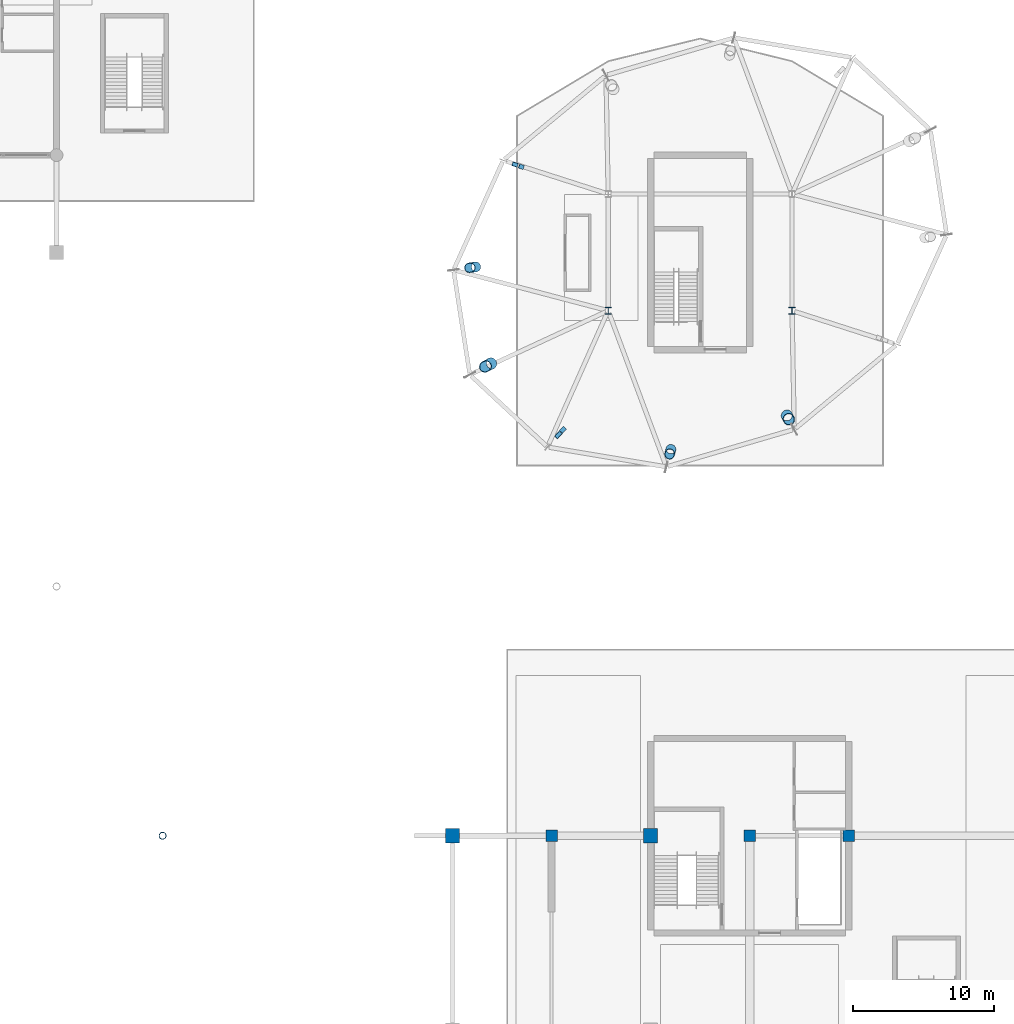
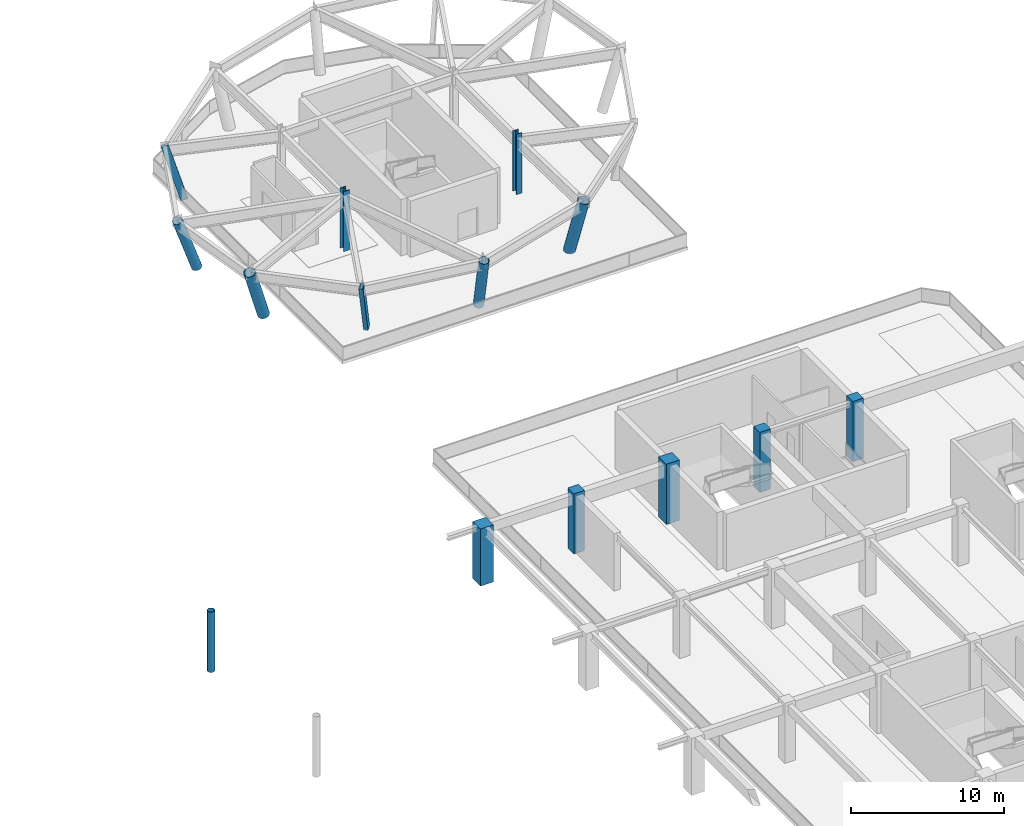
# One storey, part 17 of 91: 14 columns.
"""IFC4 building model written with IfcOpenShell, lengths in metres."""

from ifc_helpers import new_model, si_unit, direction, frame, origin, origin_2d, place, context, subcontext, project, spatial, rectangle, hollow_rectangle, hollow_circle, i_section, extrude, material, material_profile, profile_set, type_object, element, save


model = new_model("IFC4")

# Units and contexts
model_context = context("Model", 3, precision=1e-05, world=origin(), true_north=direction((0.0, 1.0)))
body_context = subcontext(model_context, "Body", "Model", "MODEL_VIEW")
ifc_project = project(units=[si_unit("LENGTHUNIT", "METRE"), si_unit("AREAUNIT", "SQUARE_METRE"), si_unit("VOLUMEUNIT", "CUBIC_METRE"), si_unit("PLANEANGLEUNIT", "RADIAN"), si_unit("MASSUNIT", "GRAM", prefix="KILO")], contexts=[model_context])

# Site, building, storey
site_placement = place(None, origin())
site = spatial("IfcSite", under=ifc_project, at=site_placement, CompositionType="ELEMENT")
building_placement = place(site_placement, origin())
building = spatial("IfcBuilding", under=site, at=building_placement, Name="Linyun Crest Stadium", CompositionType="ELEMENT")
storey_placement = place(building_placement, frame((0.0, 0.0, 11.39990234375)))
storey = spatial("IfcBuildingStorey", under=building, at=storey_placement, Name="L03", CompositionType="ELEMENT", Elevation=11.39990234375)

# Columns
ifc_material_1 = material(Name="Concrete C50", Category="concrete")
ifc_material_profile_1 = material_profile(ifc_material_1, rectangle(XDim=0.800048828125, YDim=0.800048828125, at=origin_2d()), Name="RC 800x800")
ifc_profile_set_1 = profile_set([ifc_material_profile_1], Name="Concrete C50")
column_type_1 = type_object("IfcColumnType", Name="C03", PredefinedType="COLUMN", material=ifc_profile_set_1)
for number, where, z_axis, x_axis, name in (
    (1, (63.0, 43.375, 0.0), (0.0, 0.0, 1.0), (1.0, 0.0, 0.0), "Column C03 L03 391"),
    (2, (77.0, 43.375, 0.0), (0.0, 0.0, 1.0), (1.0, 0.0, 0.0), "Column C03 L03 479"),
    (3, (84.0, 43.375, 0.0), (0.0, 0.0, 1.0), (1.0, 0.0, 0.0), "Column C03 L03 526"),
):
    element("IfcColumn", number, at=place(storey_placement, frame(where, z_axis=z_axis, x_axis=x_axis)), inside=storey, type_object=column_type_1, Name=name, PredefinedType="COLUMN", context=body_context, shape_type="SweptSolid", body=[
        extrude(rectangle(XDim=0.800048828125, YDim=0.800048828125, at=origin_2d()), origin(), (0.0, 0.0, 1.0), 4.798095703125),
    ])
ifc_material_2 = material(Name="Concrete C50", Category="concrete")
ifc_material_profile_2 = material_profile(ifc_material_2, rectangle(XDim=1.0, YDim=1.0, at=origin_2d()), Name="RC 1000x1000")
ifc_profile_set_2 = profile_set([ifc_material_profile_2], Name="Concrete C50")
column_type_2 = type_object("IfcColumnType", Name="C05", PredefinedType="COLUMN", material=ifc_profile_set_2)
column_1_placement = place(storey_placement, frame((56.0, 43.375, 0.0), z_axis=(0.0, 0.0, 1.0), x_axis=(1.0, 0.0, 0.0)))
element("IfcColumn", 4, at=column_1_placement, inside=storey, type_object=column_type_2, Name="Column C05 L03 352", PredefinedType="COLUMN", context=body_context, shape_type="SweptSolid", body=[
    extrude(rectangle(XDim=1.0, YDim=1.0, at=origin_2d()), origin(), (0.0, 0.0, 1.0), 4.5400390625),
])
column_2_placement = place(storey_placement, frame((70.0, 43.375, 0.0), z_axis=(0.0, 0.0, 1.0), x_axis=(1.0, 0.0, 0.0)))
element("IfcColumn", 5, at=column_2_placement, inside=storey, type_object=column_type_2, Name="Column C05 L03 438", PredefinedType="COLUMN", context=body_context, shape_type="SweptSolid", body=[
    extrude(rectangle(XDim=1.0, YDim=1.0, at=origin_2d()), origin(), (0.0, 0.0, 1.0), 4.798095703125),
])
ifc_material_3 = material(Name="Steel Q420C", Category="steel")
ifc_material_profile_3 = material_profile(ifc_material_3, i_section(OverallWidth=0.431884765625, OverallDepth=0.498046875, WebThickness=0.02392578125, FlangeThickness=0.0380859375, at=origin_2d()), Name="HW 498x432")
ifc_profile_set_3 = profile_set([ifc_material_profile_3], Name="Steel Q420C")
column_type_3 = type_object("IfcColumnType", Name="SC04", PredefinedType="COLUMN", material=ifc_profile_set_3)
for number, where, z_axis, x_axis, name in (
    (6, (67.0, 80.5, 0.0), (0.0, 0.0, 1.0), (1.0, 0.0, 0.0), "Column SC04 L03 825"),
    (7, (80.0, 80.5, 0.0), (0.0, 0.0, 1.0), (1.0, 0.0, 0.0), "Column SC04 L03 832"),
):
    element("IfcColumn", number, at=place(storey_placement, frame(where, z_axis=z_axis, x_axis=x_axis)), inside=storey, type_object=column_type_3, Name=name, PredefinedType="COLUMN", context=body_context, shape_type="SweptSolid", body=[
        extrude(i_section(OverallWidth=0.431884765625, OverallDepth=0.498046875, WebThickness=0.02392578125, FlangeThickness=0.0380859375, at=origin_2d()), origin(), (0.0, 0.0, 1.0), 4.798095703125),
    ])
ifc_material_4 = material(Name="Steel Q355C", Category="steel")
ifc_material_profile_4 = material_profile(ifc_material_4, hollow_circle(Radius=0.25390625, WallThickness=0.02490234375, at=origin_2d()), Name="CHS 508x25")
ifc_profile_set_4 = profile_set([ifc_material_profile_4], Name="Steel Q355C")
column_type_4 = type_object("IfcColumnType", Name="SC05", PredefinedType="COLUMN", material=ifc_profile_set_4)
column_3_placement = place(storey_placement, frame((35.5, 43.375, 0.0), z_axis=(0.0, 0.0, 1.0), x_axis=(1.0, 0.0, 0.0)))
element("IfcColumn", 8, at=column_3_placement, inside=storey, type_object=column_type_4, Name="Arch colonnade column SC05 L03 32", PredefinedType="COLUMN", context=body_context, shape_type="SweptSolid", body=[
    extrude(hollow_circle(Radius=0.25390625, WallThickness=0.02490234375, at=origin_2d()), origin(), (0.0, 0.0, 1.0), 4.800048828125),
])
ifc_material_5 = material(Name="Steel Q420C", Category="steel")
ifc_material_profile_5 = material_profile(ifc_material_5, hollow_circle(Radius=0.35546875, WallThickness=0.031982421875, at=origin_2d()), Name="CHS 711x32")
ifc_profile_set_5 = profile_set([ifc_material_profile_5], Name="Steel Q420C")
column_type_5 = type_object("IfcColumnType", Name="VL01", PredefinedType="PILASTER", material=ifc_profile_set_5)
column_4_placement = place(storey_placement, frame((57.64404296875, 83.595947265625, 0.002197265625), z_axis=(-0.340349167109, -0.047048267218, 0.939121347324), x_axis=(0.136933157693, -0.990580289691, 0.0)))
element("IfcColumn", 9, at=column_4_placement, inside=storey, type_object=column_type_5, Name="Inclined V-leg pier VL01 54", PredefinedType="PILASTER", context=body_context, shape_type="SweptSolid", body=[
    extrude(hollow_circle(Radius=0.35546875, WallThickness=0.031982421875, at=origin_2d()), origin(), (0.0, 0.0, 1.0), 4.634033203125),
])
column_5_placement = place(storey_placement, frame((71.431884765625, 70.7041015625, 0.002197265625), z_axis=(-0.069723083937, -0.274179869243, 0.959147585551), x_axis=(0.969154739028, -0.246453021526, 0.0)))
element("IfcColumn", 10, at=column_5_placement, inside=storey, type_object=column_type_5, Name="Inclined V-leg pier VL01 63", PredefinedType="PILASTER", context=body_context, shape_type="SweptSolid", body=[
    extrude(hollow_circle(Radius=0.35546875, WallThickness=0.031982421875, at=origin_2d()), origin(), (0.0, 0.0, 1.0), 4.55908203125),
])
ifc_material_6 = material(Name="Steel Q420C", Category="steel")
ifc_material_profile_6 = material_profile(ifc_material_6, hollow_circle(Radius=0.406494140625, WallThickness=0.035888671875, at=origin_2d()), Name="CHS 813x36")
ifc_profile_set_6 = profile_set([ifc_material_profile_6], Name="Steel Q420C")
column_type_6 = type_object("IfcColumnType", Name="VL02", PredefinedType="PILASTER", material=ifc_profile_set_6)
column_6_placement = place(storey_placement, frame((58.73388671875, 76.77392578125, 0.002197265625), z_axis=(-0.325654823797, -0.173035286714, 0.929520158625), x_axis=(0.469221126484, -0.883080706652, 0.0)))
element("IfcColumn", 11, at=column_6_placement, inside=storey, type_object=column_type_6, Name="Inclined V-leg pier VL02 57", PredefinedType="PILASTER", context=body_context, shape_type="SweptSolid", body=[
    extrude(hollow_circle(Radius=0.406494140625, WallThickness=0.035888671875, at=origin_2d()), origin(), (0.0, 0.0, 1.0), 4.65185546875),
])
column_7_placement = place(storey_placement, frame((79.636962890625, 73.0830078125, 0.002197265625), z_axis=(0.114613385113, -0.215644164152, 0.969722314078), x_axis=(0.883026764755, 0.469322631807, 0.0)))
element("IfcColumn", 12, at=column_7_placement, inside=storey, type_object=column_type_6, Name="Inclined V-leg pier VL02 66", PredefinedType="PILASTER", context=body_context, shape_type="SweptSolid", body=[
    extrude(hollow_circle(Radius=0.406494140625, WallThickness=0.035888671875, at=origin_2d()), origin(), (0.0, 0.0, 1.0), 4.51171875),
])
ifc_material_7 = material(Name="Steel Q420C", Category="steel")
ifc_material_profile_7 = material_profile(ifc_material_7, hollow_rectangle(XDim=0.300048828125, YDim=0.5, WallThickness=0.02001953125, at=origin_2d()), Name="RHS 500x300x20")
ifc_profile_set_7 = profile_set([ifc_material_profile_7], Name="Steel Q420C")
column_type_7 = type_object("IfcColumnType", Name="VL03", PredefinedType="PILASTER", material=ifc_profile_set_7)
column_8_placement = place(storey_placement, frame((60.802001953125, 90.695068359375, 0.002197265625), z_axis=(-0.26620321345, 0.095418294691, 0.959182567704), x_axis=(-0.337420415701, -0.941354058295, 0.0)))
element("IfcColumn", 13, at=column_8_placement, inside=storey, type_object=column_type_7, Name="Inclined V-leg pier VL03 51", PredefinedType="PILASTER", context=body_context, shape_type="SweptSolid", body=[
    extrude(hollow_rectangle(XDim=0.300048828125, YDim=0.5, WallThickness=0.02001953125, at=origin_2d()), origin(), (0.0, 0.0, 1.0), 4.590087890625),
])
column_9_placement = place(storey_placement, frame((63.781005859375, 72.053955078125, 0.002197265625), z_axis=(-0.229436435248, -0.255771202583, 0.939116613691), x_axis=(0.744389574393, -0.667745581442, 0.0)))
element("IfcColumn", 14, at=column_9_placement, inside=storey, type_object=column_type_7, Name="Inclined V-leg pier VL03 60", PredefinedType="PILASTER", context=body_context, shape_type="SweptSolid", body=[
    extrude(hollow_rectangle(XDim=0.300048828125, YDim=0.5, WallThickness=0.02001953125, at=origin_2d()), origin(), (0.0, 0.0, 1.0), 4.67236328125),
])

save(model, "model.ifc")
